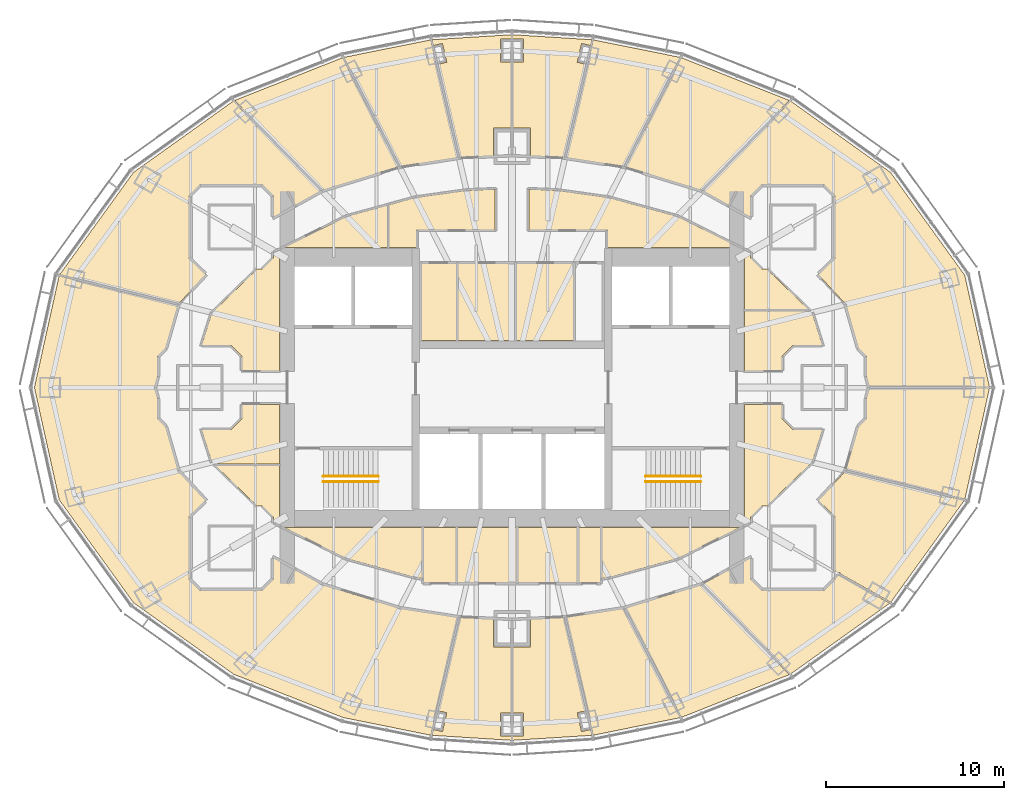
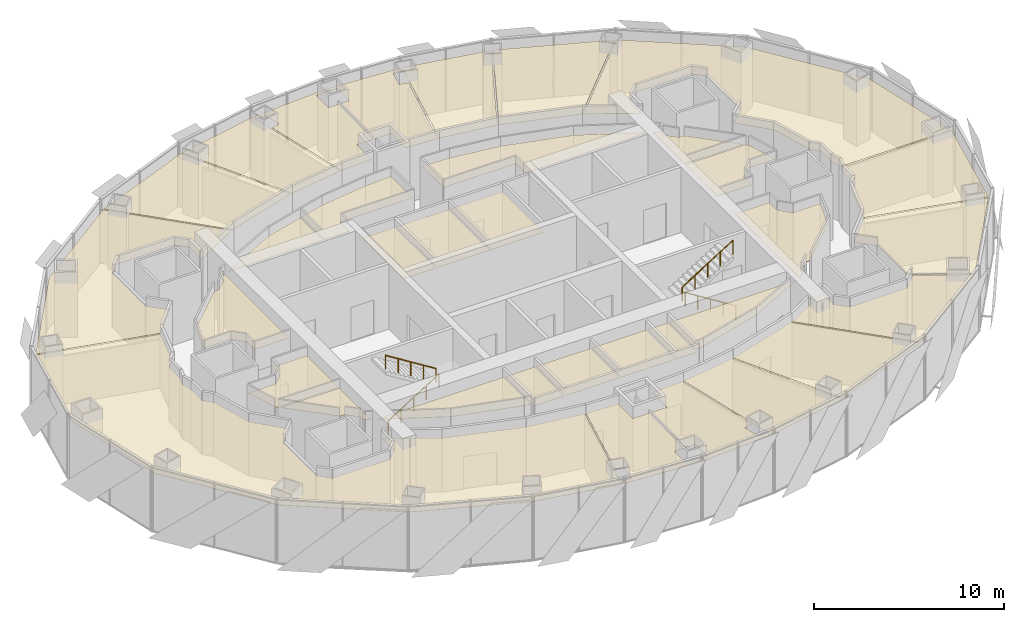
# One storey, part 19 of 19: 34 coverings, 4 railings.
"""IFC4 building model written with IfcOpenShell, lengths in metres."""

from ifc_helpers import new_model, si_unit, direction, frame, origin, origin_2d, place, context, subcontext, project, spatial, polyline, circle, outline, extrude, material, layer, layer_set, type_object, element, save


model = new_model("IFC4")

# Units and contexts
model_context = context("Model", 3, precision=1e-05, world=origin(), true_north=direction((0.0, 1.0)))
body_context = subcontext(model_context, "Body", "Model", "MODEL_VIEW")
ifc_project = project(units=[si_unit("LENGTHUNIT", "METRE"), si_unit("AREAUNIT", "SQUARE_METRE"), si_unit("VOLUMEUNIT", "CUBIC_METRE"), si_unit("PLANEANGLEUNIT", "RADIAN"), si_unit("MASSUNIT", "GRAM", prefix="KILO")], contexts=[model_context])

# Site, building, storey
site_placement = place(None, origin())
site = spatial("IfcSite", under=ifc_project, at=site_placement, CompositionType="ELEMENT")
building_placement = place(site_placement, origin())
building = spatial("IfcBuilding", under=site, at=building_placement, Name="Lantaw Convention Tower", CompositionType="ELEMENT")
storey_placement = place(building_placement, frame((0.0, 0.0, 253.60009765625)))
storey = spatial("IfcBuildingStorey", under=building, at=storey_placement, Name="L59", CompositionType="ELEMENT", Elevation=253.60009765625)

# Railings
ifc_material_1 = material(Name="Stainless steel", Category="steel")
railing_type = type_object("IfcRailingType", Name="Stair handrail", PredefinedType="HANDRAIL", material=ifc_material_1)
railing_1_placement = place(storey_placement, frame((-10.580078125, -5.280029296875, 0.1748046875)))
element("IfcRailing", 1, at=railing_1_placement, inside=storey, type_object=railing_type, Name="Stair handrail S1", PredefinedType="HANDRAIL", context=body_context, shape_type="SweptSolid", body=[
    extrude(circle(Radius=0.02392578125, at=origin_2d()), frame((0.0, 0.0, 0.8759765625), z_axis=(0.847998304005, 0.0, 0.529998940003), x_axis=(0.0, 1.0, 0.0)), (0.0, 0.0, 1.0), 3.632080078125),
    extrude(circle(Radius=0.02099609375, at=origin_2d()), origin(), (0.0, 0.0, 1.0), 0.851806640625),
    extrude(circle(Radius=0.02099609375, at=origin_2d()), frame((0.77001953125, 0.0, 0.481201171875)), (0.0, 0.0, 1.0), 0.851806640625),
    extrude(circle(Radius=0.02099609375, at=origin_2d()), frame((1.5400390625, 0.0, 0.96240234375)), (0.0, 0.0, 1.0), 0.851806640625),
    extrude(circle(Radius=0.02099609375, at=origin_2d()), frame((2.31005859375, 0.0, 1.44384765625)), (0.0, 0.0, 1.0), 0.851806640625),
    extrude(circle(Radius=0.02099609375, at=origin_2d()), frame((3.080078125, 0.0, 1.925048828125)), (0.0, 0.0, 1.0), 0.851806640625),
])
for number, where, name in (
    (2, (-7.5, -4.97998046875, 2.27490234375), "Stair handrail S1"),
    (3, (10.580078125, -5.280029296875, 0.1748046875), "Stair handrail S2"),
):
    element("IfcRailing", number, at=place(storey_placement, frame(where)), inside=storey, type_object=railing_type, Name=name, PredefinedType="HANDRAIL", context=body_context, shape_type="SweptSolid", body=[
        extrude(circle(Radius=0.02392578125, at=origin_2d()), frame((0.0, 0.0, 0.8759765625), z_axis=(-0.847998304005, 0.0, 0.529998940003), x_axis=(0.0, -1.0, 0.0)), (0.0, 0.0, 1.0), 3.632080078125),
        extrude(circle(Radius=0.02099609375, at=origin_2d()), origin(), (0.0, 0.0, 1.0), 0.851806640625),
        extrude(circle(Radius=0.02099609375, at=origin_2d()), frame((-0.77001953125, 0.0, 0.481201171875)), (0.0, 0.0, 1.0), 0.851806640625),
        extrude(circle(Radius=0.02099609375, at=origin_2d()), frame((-1.5400390625, 0.0, 0.96240234375)), (0.0, 0.0, 1.0), 0.851806640625),
        extrude(circle(Radius=0.02099609375, at=origin_2d()), frame((-2.31005859375, 0.0, 1.44384765625)), (0.0, 0.0, 1.0), 0.851806640625),
        extrude(circle(Radius=0.02099609375, at=origin_2d()), frame((-3.080078125, 0.0, 1.925048828125)), (0.0, 0.0, 1.0), 0.851806640625),
    ])
railing_2_placement = place(storey_placement, frame((7.5, -4.97998046875, 2.27490234375)))
element("IfcRailing", 4, at=railing_2_placement, inside=storey, type_object=railing_type, Name="Stair handrail S2", PredefinedType="HANDRAIL", context=body_context, shape_type="SweptSolid", body=[
    extrude(circle(Radius=0.02392578125, at=origin_2d()), frame((0.0, 0.0, 0.8759765625), z_axis=(0.847998304005, 0.0, 0.529998940003), x_axis=(0.0, 1.0, 0.0)), (0.0, 0.0, 1.0), 3.632080078125),
    extrude(circle(Radius=0.02099609375, at=origin_2d()), origin(), (0.0, 0.0, 1.0), 0.851806640625),
    extrude(circle(Radius=0.02099609375, at=origin_2d()), frame((0.77001953125, 0.0, 0.481201171875)), (0.0, 0.0, 1.0), 0.851806640625),
    extrude(circle(Radius=0.02099609375, at=origin_2d()), frame((1.5400390625, 0.0, 0.96240234375)), (0.0, 0.0, 1.0), 0.851806640625),
    extrude(circle(Radius=0.02099609375, at=origin_2d()), frame((2.31005859375, 0.0, 1.44384765625)), (0.0, 0.0, 1.0), 0.851806640625),
    extrude(circle(Radius=0.02099609375, at=origin_2d()), frame((3.080078125, 0.0, 1.925048828125)), (0.0, 0.0, 1.0), 0.851806640625),
])

# Coverings
ifc_material_2 = material(Name="Gypsum board on steel suspension grid", Category="steel")
ifc_layer = layer(ifc_material_2, 0.02001953125)
ifc_layer_set = layer_set([ifc_layer], Name="Suspended ceiling")
covering_type = type_object("IfcCoveringType", Name="Suspended ceiling", PredefinedType="CEILING", material=ifc_layer_set)
covering_1_placement = place(storey_placement, frame((0.0, 0.0, 3.449951171875)))
element("IfcCovering", 5, at=covering_1_placement, inside=storey, type_object=covering_type, Name="Accessible WC ceiling", PredefinedType="CEILING", context=body_context, shape_type="SweptSolid", body=[
    extrude(outline(polyline([(-5.080078125, 2.639892578125), (-3.112060546875, 2.639892578125), (-3.112060546875, 6.9599609375), (-5.080078125, 6.9599609375), (-5.080078125, 2.639892578125)])), origin(), (0.0, 0.0, 1.0), 0.02001953125),
])
covering_2_placement = place(storey_placement, frame((0.0, 0.0, 3.449951171875)))
element("IfcCovering", 6, at=covering_2_placement, inside=storey, type_object=covering_type, Name="Male WC ceiling", PredefinedType="CEILING", context=body_context, shape_type="SweptSolid", body=[
    extrude(outline(polyline([(-3.031982421875, 2.639892578125), (0.164794921875, 2.639892578125), (0.164794921875, 6.9599609375), (-3.031982421875, 6.9599609375), (-3.031982421875, 2.639892578125)])), origin(), (0.0, 0.0, 1.0), 0.02001953125),
])
covering_3_placement = place(storey_placement, frame((0.0, 0.0, 3.449951171875)))
element("IfcCovering", 7, at=covering_3_placement, inside=storey, type_object=covering_type, Name="Female WC ceiling", PredefinedType="CEILING", context=body_context, shape_type="SweptSolid", body=[
    extrude(outline(polyline([(0.244873046875, 2.639892578125), (3.441650390625, 2.639892578125), (3.441650390625, 6.9599609375), (0.244873046875, 6.9599609375), (0.244873046875, 2.639892578125)])), origin(), (0.0, 0.0, 1.0), 0.02001953125),
])
covering_4_placement = place(storey_placement, frame((0.0, 0.0, 3.449951171875)))
element("IfcCovering", 8, at=covering_4_placement, inside=storey, type_object=covering_type, Name="Accessible WC ceiling", PredefinedType="CEILING", context=body_context, shape_type="SweptSolid", body=[
    extrude(outline(polyline([(-4.9599609375, -10.947021484375), (-3.139892578125, -10.947021484375), (-3.139892578125, -7.840087890625), (-4.9599609375, -7.840087890625), (-4.9599609375, -10.947021484375)])), origin(), (0.0, 0.0, 1.0), 0.02001953125),
])
covering_5_placement = place(storey_placement, frame((0.0, 0.0, 3.449951171875)))
element("IfcCovering", 9, at=covering_5_placement, inside=storey, type_object=covering_type, Name="Male WC ceiling", PredefinedType="CEILING", context=body_context, shape_type="SweptSolid", body=[
    extrude(outline(polyline([(-3.06005859375, -10.947021484375), (0.260009765625, -10.947021484375), (0.260009765625, -7.840087890625), (-3.06005859375, -7.840087890625), (-3.06005859375, -10.947021484375)])), origin(), (0.0, 0.0, 1.0), 0.02001953125),
])
covering_6_placement = place(storey_placement, frame((0.0, 0.0, 3.449951171875)))
element("IfcCovering", 10, at=covering_6_placement, inside=storey, type_object=covering_type, Name="Female WC ceiling", PredefinedType="CEILING", context=body_context, shape_type="SweptSolid", body=[
    extrude(outline(polyline([(0.340087890625, -10.947021484375), (3.659912109375, -10.947021484375), (3.659912109375, -7.840087890625), (0.340087890625, -7.840087890625), (0.340087890625, -10.947021484375)])), origin(), (0.0, 0.0, 1.0), 0.02001953125),
])
covering_7_placement = place(storey_placement, frame((0.0, 0.0, 3.449951171875)))
element("IfcCovering", 11, at=covering_7_placement, inside=storey, type_object=covering_type, Name="Pantry ceiling", PredefinedType="CEILING", context=body_context, shape_type="SweptSolid", body=[
    extrude(outline(polyline([(3.739990234375, -10.947021484375), (4.9599609375, -10.947021484375), (4.9599609375, -7.840087890625), (3.739990234375, -7.840087890625), (3.739990234375, -10.947021484375)])), origin(), (0.0, 0.0, 1.0), 0.02001953125),
])
covering_8_placement = place(storey_placement, frame((0.0, 0.0, 3.449951171875)))
element("IfcCovering", 12, at=covering_8_placement, inside=storey, type_object=covering_type, Name="Meeting room ceiling", PredefinedType="CEILING", context=body_context, shape_type="SweptSolid", body=[
    extrude(outline(polyline([(-13.385009765625, -7.518798828125), (-13.3134765625, -7.587890625), (-13.0400390625, -7.723876953125), (-13.0400390625, -4.3798828125), (-16.63037109375, -4.3798828125), (-14.298828125, -6.635009765625), (-14.0087890625, -6.635009765625), (-13.385009765625, -7.2587890625), (-13.385009765625, -7.518798828125)])), origin(), (0.0, 0.0, 1.0), 0.02001953125),
])
covering_9_placement = place(storey_placement, frame((0.0, 0.0, 3.449951171875)))
element("IfcCovering", 13, at=covering_9_placement, inside=storey, type_object=covering_type, Name="Project room ceiling", PredefinedType="CEILING", context=body_context, shape_type="SweptSolid", body=[
    extrude(outline(polyline([(-17.4091796875, -2.364990234375), (-16.8330078125, -4.18408203125), (-16.713134765625, -4.300048828125), (-13.0400390625, -4.300048828125), (-13.0400390625, -0.93994140625), (-15.135009765625, -0.93994140625), (-15.135009765625, -1.7412109375), (-15.7587890625, -2.364990234375), (-17.4091796875, -2.364990234375)])), origin(), (0.0, 0.0, 1.0), 0.02001953125),
])
covering_10_placement = place(storey_placement, frame((0.0, 0.0, 3.449951171875)))
element("IfcCovering", 14, at=covering_10_placement, inside=storey, type_object=covering_type, Name="Tenant storage room ceiling", PredefinedType="CEILING", context=body_context, shape_type="SweptSolid", body=[
    extrude(outline(polyline([(-5.0400390625, -7.840087890625), (-12.806396484375, -7.840087890625), (-9.283447265625, -9.590576171875), (-5.437255859375, -10.647705078125), (-5.0400390625, -10.702880859375), (-5.0400390625, -7.840087890625)])), origin(), (0.0, 0.0, 1.0), 0.02001953125),
])
covering_11_placement = place(storey_placement, frame((0.0, 0.0, 3.449951171875)))
element("IfcCovering", 15, at=covering_11_placement, inside=storey, type_object=covering_type, Name="Meeting room ceiling", PredefinedType="CEILING", context=body_context, shape_type="SweptSolid", body=[
    extrude(outline(polyline([(5.0400390625, -7.840087890625), (5.0400390625, -10.702880859375), (5.437255859375, -10.647705078125), (9.283447265625, -9.590576171875), (12.806396484375, -7.840087890625), (5.0400390625, -7.840087890625)])), origin(), (0.0, 0.0, 1.0), 0.02001953125),
])
covering_12_placement = place(storey_placement, frame((0.0, 0.0, 3.449951171875)))
element("IfcCovering", 16, at=covering_12_placement, inside=storey, type_object=covering_type, Name="Copy and print room ceiling", PredefinedType="CEILING", context=body_context, shape_type="SweptSolid", body=[
    extrude(outline(polyline([(16.8330078125, -4.18408203125), (17.4091796875, -2.364990234375), (15.7587890625, -2.364990234375), (15.135009765625, -1.7412109375), (15.135009765625, -0.93994140625), (13.0400390625, -0.93994140625), (13.0400390625, -7.723876953125), (13.3134765625, -7.587890625), (13.385009765625, -7.518798828125), (13.385009765625, -7.2587890625), (14.0087890625, -6.635009765625), (14.298828125, -6.635009765625), (16.8330078125, -4.18408203125)])), origin(), (0.0, 0.0, 1.0), 0.02001953125),
])
covering_13_placement = place(storey_placement, frame((0.0, 0.0, 3.449951171875)))
element("IfcCovering", 17, at=covering_13_placement, inside=storey, type_object=covering_type, Name="Project room ceiling", PredefinedType="CEILING", context=body_context, shape_type="SweptSolid", body=[
    extrude(outline(polyline([(17.4091796875, 2.364990234375), (16.8330078125, 4.18408203125), (16.713134765625, 4.300048828125), (13.0400390625, 4.300048828125), (13.0400390625, 0.93994140625), (15.135009765625, 0.93994140625), (15.135009765625, 1.7412109375), (15.7587890625, 2.364990234375), (17.4091796875, 2.364990234375)])), origin(), (0.0, 0.0, 1.0), 0.02001953125),
])
covering_14_placement = place(storey_placement, frame((0.0, 0.0, 3.449951171875)))
element("IfcCovering", 18, at=covering_14_placement, inside=storey, type_object=covering_type, Name="Meeting room ceiling", PredefinedType="CEILING", context=body_context, shape_type="SweptSolid", body=[
    extrude(outline(polyline([(13.385009765625, 7.518798828125), (13.3134765625, 7.587890625), (13.0400390625, 7.723876953125), (13.0400390625, 4.3798828125), (16.63037109375, 4.3798828125), (14.298828125, 6.635009765625), (14.0087890625, 6.635009765625), (13.385009765625, 7.2587890625), (13.385009765625, 7.518798828125)])), origin(), (0.0, 0.0, 1.0), 0.02001953125),
])
covering_15_placement = place(storey_placement, frame((0.0, 0.0, 3.449951171875)))
element("IfcCovering", 19, at=covering_15_placement, inside=storey, type_object=covering_type, Name="Comms room ceiling", PredefinedType="CEILING", context=body_context, shape_type="SweptSolid", body=[
    extrude(outline(polyline([(5.360107421875, 7.840087890625), (12.806396484375, 7.840087890625), (9.283447265625, 9.590576171875), (5.437255859375, 10.647705078125), (2.556396484375, 11.048828125), (0.93994140625, 11.119140625), (0.93994140625, 8.840087890625), (5.360107421875, 8.840087890625), (5.360107421875, 7.840087890625)])), origin(), (0.0, 0.0, 1.0), 0.02001953125),
])
covering_16_placement = place(storey_placement, frame((0.0, 0.0, 3.449951171875)))
element("IfcCovering", 20, at=covering_16_placement, inside=storey, type_object=covering_type, Name="Meeting room ceiling", PredefinedType="CEILING", context=body_context, shape_type="SweptSolid", body=[
    extrude(outline(polyline([(-9.283447265625, 9.590576171875), (-12.806396484375, 7.840087890625), (-6.97998046875, 7.840087890625), (-6.97998046875, 10.2236328125), (-9.283447265625, 9.590576171875)])), origin(), (0.0, 0.0, 1.0), 0.02001953125),
])
covering_17_placement = place(storey_placement, frame((0.0, 0.0, 3.449951171875)))
element("IfcCovering", 21, at=covering_17_placement, inside=storey, type_object=covering_type, Name="Project room ceiling", PredefinedType="CEILING", context=body_context, shape_type="SweptSolid", body=[
    extrude(outline(polyline([(-5.437255859375, 10.647705078125), (-6.89990234375, 10.24560546875), (-6.89990234375, 7.840087890625), (-5.360107421875, 7.840087890625), (-5.360107421875, 8.840087890625), (-0.93994140625, 8.840087890625), (-0.93994140625, 11.119140625), (-2.556396484375, 11.048828125), (-5.437255859375, 10.647705078125)])), origin(), (0.0, 0.0, 1.0), 0.02001953125),
])
covering_18_placement = place(storey_placement, frame((0.0, 0.0, 3.449951171875)))
element("IfcCovering", 22, at=covering_18_placement, inside=storey, type_object=covering_type, Name="Tenant storage room ceiling", PredefinedType="CEILING", context=body_context, shape_type="SweptSolid", body=[
    extrude(outline(polyline([(-15.135009765625, 1.7412109375), (-15.135009765625, 0.93994140625), (-13.0400390625, 0.93994140625), (-13.0400390625, 7.723876953125), (-13.3134765625, 7.587890625), (-13.385009765625, 7.518798828125), (-13.385009765625, 7.2587890625), (-14.0087890625, 6.635009765625), (-14.298828125, 6.635009765625), (-16.8330078125, 4.18408203125), (-17.4091796875, 2.364990234375), (-15.7587890625, 2.364990234375), (-15.135009765625, 1.7412109375)])), origin(), (0.0, 0.0, 1.0), 0.02001953125),
])
covering_19_placement = place(storey_placement, frame((0.0, 0.0, 3.449951171875)))
element("IfcCovering", 23, at=covering_19_placement, inside=storey, type_object=covering_type, Name="Reception ceiling", PredefinedType="CEILING", context=body_context, shape_type="SweptSolid", body=[
    extrude(outline(polyline([(17.1728515625, 6.328125), (18.709228515625, 4.676025390625), (19.418212890625, 2.18798828125), (19.864990234375, 1.7412109375), (19.864990234375, 0.61962890625), (20.0302734375, 0.0400390625), (26.77099609375, 0.0400390625), (25.388916015625, 6.290283203125), (21.224365234375, 12.061767578125), (15.62890625, 16.059326171875), (10.6982421875, 11.020263671875), (13.385009765625, 9.533935546875), (13.385009765625, 10.7412109375), (14.0087890625, 11.364990234375), (17.4912109375, 11.364990234375), (18.114990234375, 10.7412109375), (18.114990234375, 7.2587890625), (17.4912109375, 6.635009765625), (17.47900390625, 6.635009765625), (17.1728515625, 6.328125)])), origin(), (0.0, 0.0, 1.0), 0.02001953125),
])
covering_20_placement = place(storey_placement, frame((0.0, 0.0, 3.449951171875)))
element("IfcCovering", 24, at=covering_20_placement, inside=storey, type_object=covering_type, Name="Private office ceiling", PredefinedType="CEILING", context=body_context, shape_type="SweptSolid", body=[
    extrude(outline(polyline([(10.621337890625, 11.055908203125), (15.553466796875, 16.096923828125), (9.503173828125, 18.49267578125), (6.345458984375, 12.364990234375), (10.621337890625, 11.055908203125)])), origin(), (0.0, 0.0, 1.0), 0.02001953125),
])
covering_21_placement = place(storey_placement, frame((0.0, 0.0, 3.449951171875)))
element("IfcCovering", 25, at=covering_21_placement, inside=storey, type_object=covering_type, Name="Private office ceiling", PredefinedType="CEILING", context=body_context, shape_type="SweptSolid", body=[
    extrude(outline(polyline([(6.265625, 12.384765625), (9.42431640625, 18.514404296875), (4.55859375, 19.492919921875), (3.016845703125, 12.888916015625), (6.265625, 12.384765625)])), origin(), (0.0, 0.0, 1.0), 0.02001953125),
])
covering_22_placement = place(storey_placement, frame((0.0, 0.0, 3.449951171875)))
element("IfcCovering", 26, at=covering_22_placement, inside=storey, type_object=covering_type, Name="Private office ceiling", PredefinedType="CEILING", context=body_context, shape_type="SweptSolid", body=[
    extrude(outline(polyline([(1.0400390625, 12.989501953125), (2.936767578125, 12.897705078125), (4.15625, 18.121826171875), (3.65625, 18.2373046875), (3.899169921875, 19.28955078125), (4.40185546875, 19.173583984375), (4.478759765625, 19.5029296875), (0.0400390625, 19.781982421875), (0.0400390625, 19.5400390625), (0.639892578125, 19.5400390625), (0.639892578125, 18.260009765625), (0.0400390625, 18.260009765625), (0.0400390625, 14.5400390625), (1.0400390625, 14.5400390625), (1.0400390625, 12.989501953125)])), origin(), (0.0, 0.0, 1.0), 0.02001953125),
])
covering_23_placement = place(storey_placement, frame((0.0, 0.0, 3.449951171875)))
element("IfcCovering", 27, at=covering_23_placement, inside=storey, type_object=covering_type, Name="Private office ceiling", PredefinedType="CEILING", context=body_context, shape_type="SweptSolid", body=[
    extrude(outline(polyline([(-2.936767578125, 12.897705078125), (-1.0400390625, 12.989501953125), (-1.0400390625, 14.5400390625), (-0.0400390625, 14.5400390625), (-0.0400390625, 18.260009765625), (-0.639892578125, 18.260009765625), (-0.639892578125, 19.5400390625), (-0.0400390625, 19.5400390625), (-0.0400390625, 19.781982421875), (-4.478759765625, 19.5029296875), (-4.40185546875, 19.173583984375), (-3.899169921875, 19.28955078125), (-3.65625, 18.2373046875), (-4.15625, 18.121826171875), (-2.936767578125, 12.897705078125)])), origin(), (0.0, 0.0, 1.0), 0.02001953125),
])
covering_24_placement = place(storey_placement, frame((0.0, 0.0, 3.449951171875)))
element("IfcCovering", 28, at=covering_24_placement, inside=storey, type_object=covering_type, Name="Private office ceiling", PredefinedType="CEILING", context=body_context, shape_type="SweptSolid", body=[
    extrude(outline(polyline([(-3.016845703125, 12.888916015625), (-4.55859375, 19.492919921875), (-9.42431640625, 18.514404296875), (-6.265625, 12.384765625), (-3.016845703125, 12.888916015625)])), origin(), (0.0, 0.0, 1.0), 0.02001953125),
])
covering_25_placement = place(storey_placement, frame((0.0, 0.0, 3.449951171875)))
element("IfcCovering", 29, at=covering_25_placement, inside=storey, type_object=covering_type, Name="Private office ceiling", PredefinedType="CEILING", context=body_context, shape_type="SweptSolid", body=[
    extrude(outline(polyline([(-6.345458984375, 12.364990234375), (-9.503173828125, 18.49267578125), (-15.553466796875, 16.096923828125), (-10.621337890625, 11.055908203125), (-6.345458984375, 12.364990234375)])), origin(), (0.0, 0.0, 1.0), 0.02001953125),
])
covering_26_placement = place(storey_placement, frame((0.0, 0.0, 3.449951171875)))
element("IfcCovering", 30, at=covering_26_placement, inside=storey, type_object=covering_type, Name="Meeting room ceiling", PredefinedType="CEILING", context=body_context, shape_type="SweptSolid", body=[
    extrude(outline(polyline([(-17.47900390625, 6.635009765625), (-17.4912109375, 6.635009765625), (-18.114990234375, 7.2587890625), (-18.114990234375, 10.7412109375), (-17.4912109375, 11.364990234375), (-14.0087890625, 11.364990234375), (-13.385009765625, 10.7412109375), (-13.385009765625, 9.533935546875), (-10.6982421875, 11.020263671875), (-15.62890625, 16.059326171875), (-21.224365234375, 12.061767578125), (-25.359130859375, 6.331787109375), (-18.686767578125, 4.7001953125), (-17.1728515625, 6.328125), (-17.47900390625, 6.635009765625)])), origin(), (0.0, 0.0, 1.0), 0.02001953125),
])
covering_27_placement = place(storey_placement, frame((0.0, 0.0, 3.449951171875)))
element("IfcCovering", 31, at=covering_27_placement, inside=storey, type_object=covering_type, Name="Open office ceiling", PredefinedType="CEILING", context=body_context, shape_type="SweptSolid", body=[
    extrude(outline(polyline([(-19.864990234375, 0.61962890625), (-19.864990234375, 1.7412109375), (-19.418212890625, 2.18798828125), (-18.72314453125, 4.626708984375), (-25.39599609375, 6.258544921875), (-26.77978515625, 0.0), (-25.388916015625, -6.290283203125), (-21.224365234375, -12.061767578125), (-15.60498046875, -16.076416015625), (-9.472900390625, -18.504638671875), (-4.55859375, -19.492919921875), (-3.016845703125, -12.888916015625), (-6.296875, -12.3798828125), (-10.6484375, -11.047607421875), (-13.385009765625, -9.533935546875), (-13.385009765625, -10.7412109375), (-14.0087890625, -11.364990234375), (-17.4912109375, -11.364990234375), (-18.114990234375, -10.7412109375), (-18.114990234375, -7.2587890625), (-17.4912109375, -6.635009765625), (-17.47900390625, -6.635009765625), (-17.1728515625, -6.328125), (-18.709228515625, -4.676025390625), (-19.418212890625, -2.18798828125), (-19.864990234375, -1.7412109375), (-19.864990234375, -0.61962890625), (-20.04150390625, 0.0), (-19.864990234375, 0.61962890625)])), origin(), (0.0, 0.0, 1.0), 0.02001953125),
])
covering_28_placement = place(storey_placement, frame((0.0, 0.0, 3.449951171875)))
element("IfcCovering", 32, at=covering_28_placement, inside=storey, type_object=covering_type, Name="Private office ceiling", PredefinedType="CEILING", context=body_context, shape_type="SweptSolid", body=[
    extrude(outline(polyline([(-1.0400390625, -12.989501953125), (-2.936767578125, -12.897705078125), (-4.15625, -18.121826171875), (-3.65625, -18.2373046875), (-3.899169921875, -19.28955078125), (-4.40185546875, -19.173583984375), (-4.478759765625, -19.5029296875), (-0.0400390625, -19.781982421875), (-0.0400390625, -19.5400390625), (-0.639892578125, -19.5400390625), (-0.639892578125, -18.260009765625), (-0.0400390625, -18.260009765625), (-0.0400390625, -14.5400390625), (-1.0400390625, -14.5400390625), (-1.0400390625, -12.989501953125)])), origin(), (0.0, 0.0, 1.0), 0.02001953125),
])
covering_29_placement = place(storey_placement, frame((0.0, 0.0, 3.449951171875)))
element("IfcCovering", 33, at=covering_29_placement, inside=storey, type_object=covering_type, Name="Private office ceiling", PredefinedType="CEILING", context=body_context, shape_type="SweptSolid", body=[
    extrude(outline(polyline([(2.936767578125, -12.897705078125), (1.0400390625, -12.989501953125), (1.0400390625, -14.5400390625), (0.0400390625, -14.5400390625), (0.0400390625, -18.260009765625), (0.639892578125, -18.260009765625), (0.639892578125, -19.5400390625), (0.0400390625, -19.5400390625), (0.0400390625, -19.781982421875), (4.478759765625, -19.5029296875), (4.40185546875, -19.173583984375), (3.899169921875, -19.28955078125), (3.65625, -18.2373046875), (4.15625, -18.121826171875), (2.936767578125, -12.897705078125)])), origin(), (0.0, 0.0, 1.0), 0.02001953125),
])
covering_30_placement = place(storey_placement, frame((0.0, 0.0, 3.449951171875)))
element("IfcCovering", 34, at=covering_30_placement, inside=storey, type_object=covering_type, Name="Private office ceiling", PredefinedType="CEILING", context=body_context, shape_type="SweptSolid", body=[
    extrude(outline(polyline([(3.016845703125, -12.888916015625), (4.55859375, -19.492919921875), (9.42431640625, -18.514404296875), (6.265625, -12.384765625), (3.016845703125, -12.888916015625)])), origin(), (0.0, 0.0, 1.0), 0.02001953125),
])
covering_31_placement = place(storey_placement, frame((0.0, 0.0, 3.449951171875)))
element("IfcCovering", 35, at=covering_31_placement, inside=storey, type_object=covering_type, Name="Private office ceiling", PredefinedType="CEILING", context=body_context, shape_type="SweptSolid", body=[
    extrude(outline(polyline([(6.345458984375, -12.364990234375), (9.503173828125, -18.49267578125), (15.553466796875, -16.096923828125), (10.621337890625, -11.055908203125), (6.345458984375, -12.364990234375)])), origin(), (0.0, 0.0, 1.0), 0.02001953125),
])
covering_32_placement = place(storey_placement, frame((0.0, 0.0, 3.449951171875)))
element("IfcCovering", 36, at=covering_32_placement, inside=storey, type_object=covering_type, Name="Private office ceiling", PredefinedType="CEILING", context=body_context, shape_type="SweptSolid", body=[
    extrude(outline(polyline([(13.385009765625, -10.7412109375), (13.385009765625, -9.533935546875), (10.6982421875, -11.020263671875), (15.62890625, -16.059326171875), (21.178466796875, -12.094482421875), (18.344970703125, -10.499755859375), (18.114990234375, -10.72900390625), (18.114990234375, -10.7412109375), (17.4912109375, -11.364990234375), (14.0087890625, -11.364990234375), (13.385009765625, -10.7412109375)])), origin(), (0.0, 0.0, 1.0), 0.02001953125),
])
covering_33_placement = place(storey_placement, frame((0.0, 0.0, 3.449951171875)))
element("IfcCovering", 37, at=covering_33_placement, inside=storey, type_object=covering_type, Name="Pantry ceiling", PredefinedType="CEILING", context=body_context, shape_type="SweptSolid", body=[
    extrude(outline(polyline([(17.47900390625, -6.635009765625), (17.4912109375, -6.635009765625), (18.114990234375, -7.2587890625), (18.114990234375, -10.278564453125), (18.32763671875, -10.3984375), (18.34423828125, -10.3818359375), (18.3974609375, -10.373779296875), (18.40966796875, -10.435302734375), (18.40380859375, -10.441162109375), (21.241455078125, -12.0380859375), (25.359130859375, -6.331787109375), (18.686767578125, -4.7001953125), (17.1728515625, -6.328125), (17.47900390625, -6.635009765625)])), origin(), (0.0, 0.0, 1.0), 0.02001953125),
])
covering_34_placement = place(storey_placement, frame((0.0, 0.0, 3.449951171875)))
element("IfcCovering", 38, at=covering_34_placement, inside=storey, type_object=covering_type, Name="Quiet room ceiling", PredefinedType="CEILING", context=body_context, shape_type="SweptSolid", body=[
    extrude(outline(polyline([(19.418212890625, -2.18798828125), (18.72314453125, -4.626708984375), (25.39599609375, -6.258544921875), (26.77099609375, -0.0400390625), (20.0302734375, -0.0400390625), (19.864990234375, -0.61962890625), (19.864990234375, -1.7412109375), (19.418212890625, -2.18798828125)])), origin(), (0.0, 0.0, 1.0), 0.02001953125),
])

save(model, "model.ifc")
